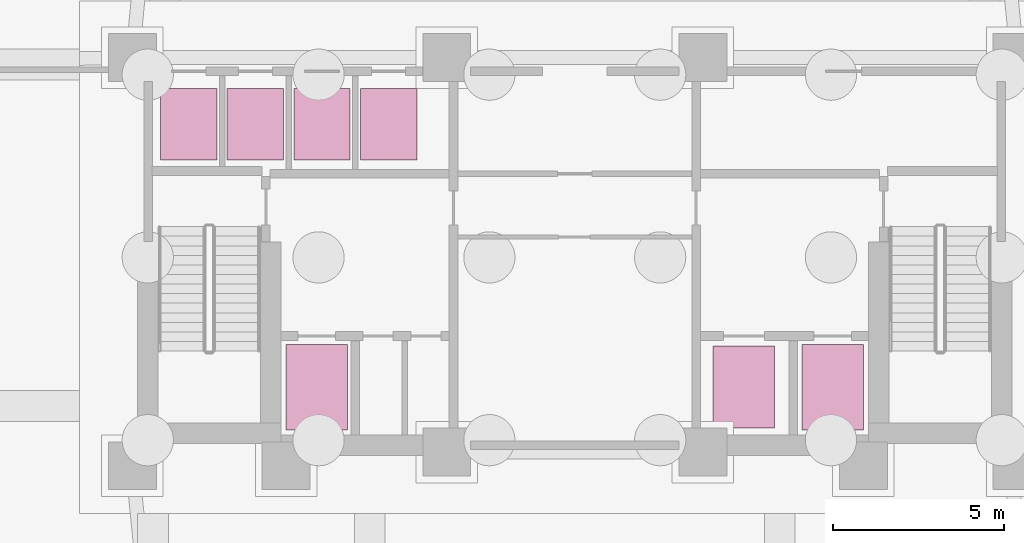
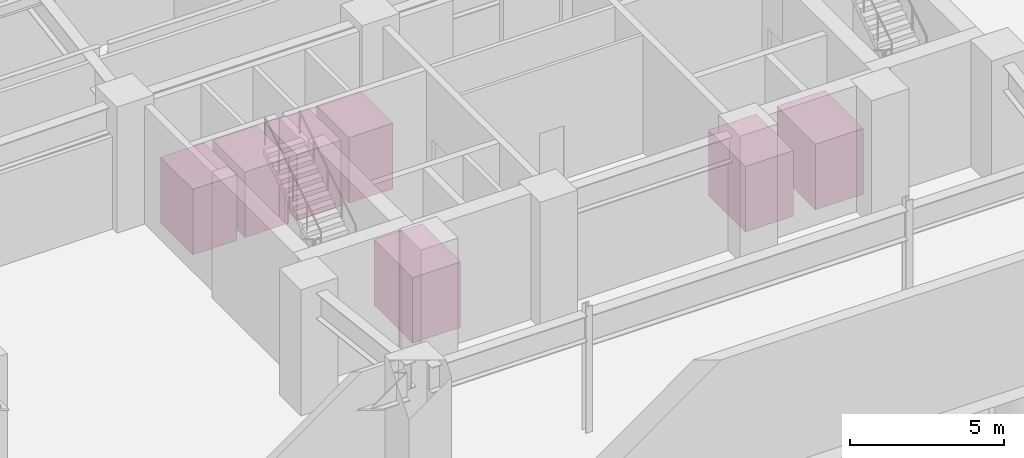
# One storey, part 15 of 15: 7 transport elements.
"""IFC4 building model written with IfcOpenShell, lengths in metres."""

from ifc_helpers import new_model, si_unit, direction, frame, origin, origin_2d, place, context, subcontext, project, spatial, rectangle, extrude, material, type_object, element, save


model = new_model("IFC4")

# Units and contexts
model_context = context("Model", 3, precision=1e-05, world=origin(), true_north=direction((0.0, 1.0)))
body_context = subcontext(model_context, "Body", "Model", "MODEL_VIEW")
ifc_project = project(units=[si_unit("LENGTHUNIT", "METRE"), si_unit("AREAUNIT", "SQUARE_METRE"), si_unit("VOLUMEUNIT", "CUBIC_METRE"), si_unit("PLANEANGLEUNIT", "RADIAN"), si_unit("MASSUNIT", "GRAM", prefix="KILO")], contexts=[model_context])

# Site, building, storey
site_placement = place(None, origin())
site = spatial("IfcSite", under=ifc_project, at=site_placement, CompositionType="ELEMENT")
building_placement = place(site_placement, origin())
building = spatial("IfcBuilding", under=site, at=building_placement, Name="Quenlor Broadcast Tower", CompositionType="ELEMENT")
storey_placement = place(building_placement, frame((0.0, 0.0, -10.0)))
storey = spatial("IfcBuildingStorey", under=building, at=storey_placement, Name="B02", CompositionType="ELEMENT", Elevation=-10.0)

# Transport elements
ifc_material_1 = material(Name="Anodised Aluminium", Category="aluminium")
transport_element_type_1 = type_object("IfcTransportElementType", Name="Broadcast Goods Service Lift Car 1800x2400", PredefinedType="ELEVATOR", material=ifc_material_1)
transport_element_placement = place(storey_placement, frame((4.949951171875, -14.449951171875, 0.0), z_axis=(0.0, 0.0, 1.0), x_axis=(1.0, 0.0, 0.0)))
element("IfcTransportElement", 1, at=transport_element_placement, inside=storey, type_object=transport_element_type_1, Name="Broadcast Goods and Service Lift 1 (SVL-1)", PredefinedType="ELEVATOR", context=body_context, shape_type="SweptSolid", body=[
    extrude(rectangle(XDim=1.800048828125, YDim=2.39990234375, at=origin_2d()), origin(), (0.0, 0.0, 1.0), 2.60009765625),
])
ifc_material_2 = material(Name="Anodised Aluminium", Category="aluminium")
transport_element_type_2 = type_object("IfcTransportElementType", Name="Emergency Stretcher Firefighting Lift Car 1800x2500", PredefinedType="ELEVATOR", material=ifc_material_2)
for number, where, z_axis, x_axis, name in (
    (2, (-7.550048828125, -14.449951171875, 0.0), (0.0, 0.0, 1.0), (1.0, 0.0, 0.0), "Firefighting Emergency Lift 1 (FFL-1)"),
    (3, (7.550048828125, -14.449951171875, 0.0), (0.0, 0.0, 1.0), (1.0, 0.0, 0.0), "Firefighting Emergency Lift 2 (FFL-2)"),
):
    element("IfcTransportElement", number, at=place(storey_placement, frame(where, z_axis=z_axis, x_axis=x_axis)), inside=storey, type_object=transport_element_type_2, Name=name, PredefinedType="ELEVATOR", context=body_context, shape_type="SweptSolid", body=[
        extrude(rectangle(XDim=1.800048828125, YDim=2.5, at=origin_2d()), origin(), (0.0, 0.0, 1.0), 2.60009765625),
    ])
ifc_material_3 = material(Name="Anodised Aluminium", Category="aluminium")
transport_element_type_3 = type_object("IfcTransportElementType", Name="High Speed Passenger Lift Car 1650x2100", PredefinedType="ELEVATOR", material=ifc_material_3)
for number, where, z_axis, x_axis, name in (
    (4, (-11.300048828125, -6.75, 0.0), (0.0, 0.0, 1.0), (1.0, 0.0, 0.0), "Passenger Lift Low Rise 1 (PL-L1)"),
    (5, (-9.35009765625, -6.75, 0.0), (0.0, 0.0, 1.0), (1.0, 0.0, 0.0), "Passenger Lift Low Rise 2 (PL-L2)"),
    (6, (-7.39990234375, -6.75, 0.0), (0.0, 0.0, 1.0), (1.0, 0.0, 0.0), "Passenger Lift Low Rise 3 (PL-L3)"),
    (7, (-5.449951171875, -6.75, 0.0), (0.0, 0.0, 1.0), (1.0, 0.0, 0.0), "Passenger Lift Low Rise 4 (PL-L4)"),
):
    element("IfcTransportElement", number, at=place(storey_placement, frame(where, z_axis=z_axis, x_axis=x_axis)), inside=storey, type_object=transport_element_type_3, Name=name, PredefinedType="ELEVATOR", context=body_context, shape_type="SweptSolid", body=[
        extrude(rectangle(XDim=1.64990234375, YDim=2.10009765625, at=origin_2d()), origin(), (0.0, 0.0, 1.0), 2.60009765625),
    ])

save(model, "model.ifc")
